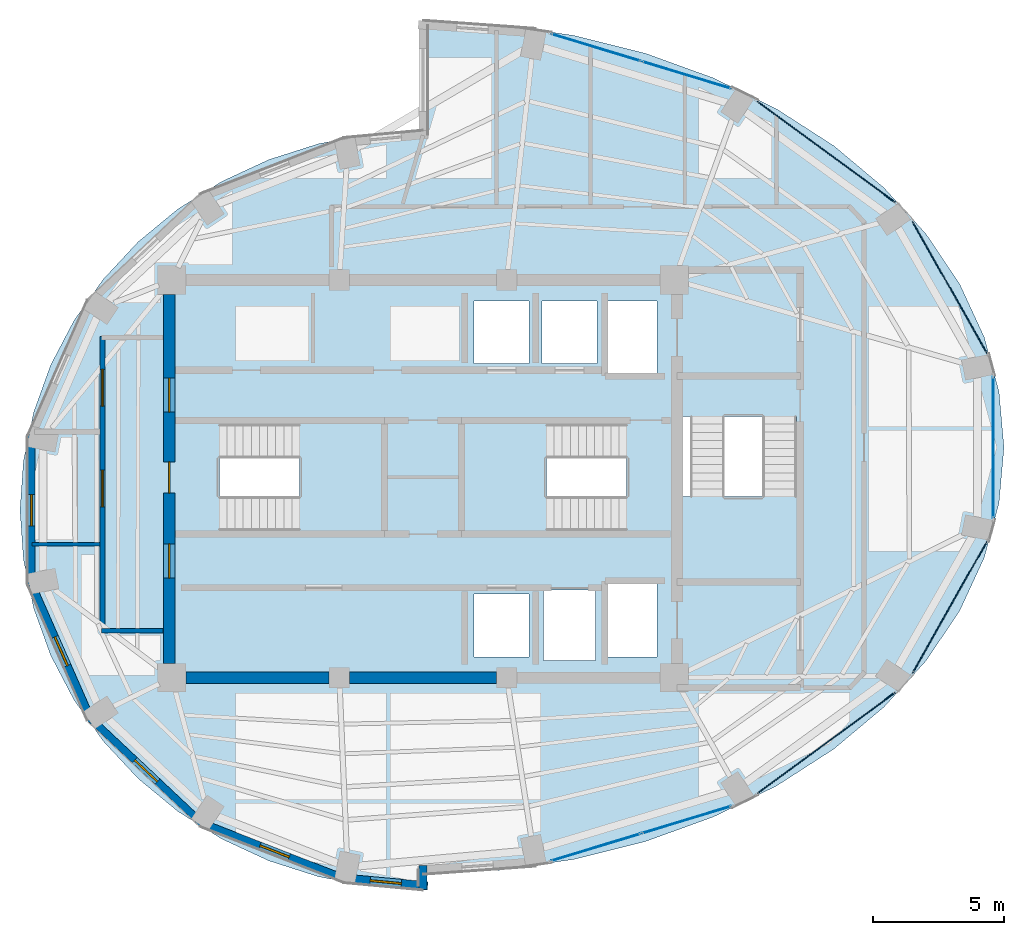
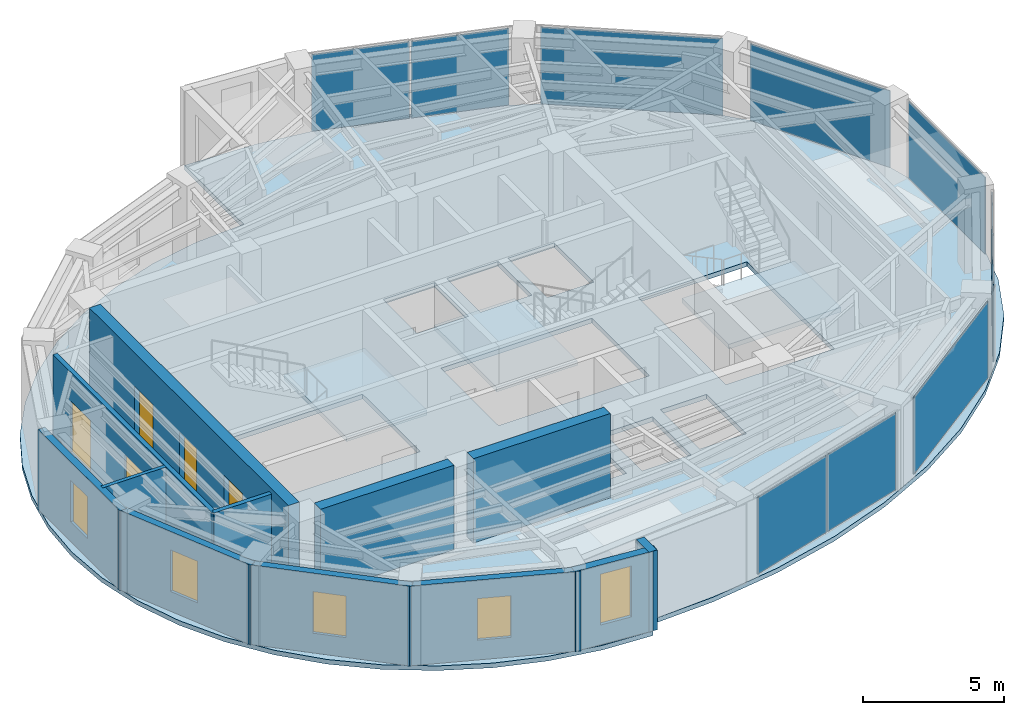
# One storey, part 8 of 13: 12 walls, 9 plates, 5 doors, 5 windows, 4 slabs, 10 openings, 10 elements without a shape of their own.
"""IFC4 building model written with IfcOpenShell, lengths in metres."""

from ifc_helpers import new_model, si_unit, direction, frame, frame_2d, origin, origin_2d, place, context, subcontext, project, spatial, polyline, rectangle, outline, extrude, material, layer, layer_set, type_object, element, fill, aggregate, save


model = new_model("IFC4")

# Units and contexts
model_context = context("Model", 3, precision=1e-05, world=origin(), true_north=direction((0.0, 1.0)))
body_context = subcontext(model_context, "Body", "Model", "MODEL_VIEW")
ifc_project = project(units=[si_unit("LENGTHUNIT", "METRE"), si_unit("AREAUNIT", "SQUARE_METRE"), si_unit("VOLUMEUNIT", "CUBIC_METRE"), si_unit("PLANEANGLEUNIT", "RADIAN"), si_unit("MASSUNIT", "GRAM", prefix="KILO")], contexts=[model_context])

# Site, building, storey
site_placement = place(None, origin())
site = spatial("IfcSite", under=ifc_project, at=site_placement, CompositionType="ELEMENT")
building_placement = place(site_placement, origin())
building = spatial("IfcBuilding", under=site, at=building_placement, Name="Lazwardi Medical Tower", CompositionType="ELEMENT")
storey_placement = place(building_placement, frame((0.0, 0.0, 295.152099609375)))
storey = spatial("IfcBuildingStorey", under=building, at=storey_placement, Name="L77", CompositionType="ELEMENT", Elevation=295.152099609375)

# Curtain wall, plates
ifc_material_1 = material(Name="Anodised bronze aluminium and solar control glazing", Category="aluminium")
ifc_layer_1 = layer(ifc_material_1, 0.18994140625)
ifc_layer_set_1 = layer_set([ifc_layer_1], Name="Anodised bronze aluminium and solar control glazing")
curtain_wall_type = type_object("IfcCurtainWallType", Name="CW-SYS-04", PredefinedType="NOTDEFINED", material=ifc_layer_set_1)
curtain_wall_1_placement = place(storey_placement, origin())
curtain_wall_1 = element("IfcCurtainWall", 1, at=curtain_wall_1_placement, inside=storey, type_object=curtain_wall_type, Name="L77 Unitised bronze curtain wall CW-04", PredefinedType="NOTDEFINED")
ifc_material_2 = material(Name="Low-e bronze solar control double glazing", Category="glass")
ifc_layer_2 = layer(ifc_material_2, 0.035888671875)
ifc_layer_set_2 = layer_set([ifc_layer_2], Name="Low-e bronze solar control double glazing")
plate_type = type_object("IfcPlateType", Name="PLT-GLZ-01", PredefinedType="CURTAIN_PANEL", material=ifc_layer_set_2)
plate_1_placement = place(storey_placement, frame((42.604736328125, 13.918701171875, 0.06494140625), z_axis=(0.0, 0.0, 1.0), x_axis=(0.956850126972, 0.290581889515, 0.0)))
plate_1 = element("IfcPlate", 2, at=plate_1_placement, type_object=plate_type, Name="CW-04 panel 1.1", PredefinedType="CURTAIN_PANEL", context=body_context, shape_type="SweptSolid", body=[
    extrude(rectangle(XDim=3.554443359375, YDim=0.035888671875, at=origin_2d()), origin(), (0.0, 0.0, 1.0), 3.318115234375),
])
plate_2_placement = place(storey_placement, frame((46.068115234375, 14.970458984375, 0.06494140625), z_axis=(0.0, 0.0, 1.0), x_axis=(0.956850126972, 0.290581889515, 0.0)))
plate_2 = element("IfcPlate", 3, at=plate_2_placement, type_object=plate_type, Name="CW-04 panel 2.1", PredefinedType="CURTAIN_PANEL", context=body_context, shape_type="SweptSolid", body=[
    extrude(rectangle(XDim=3.554443359375, YDim=0.035888671875, at=origin_2d()), origin(), (0.0, 0.0, 1.0), 3.318115234375),
])
aggregate(curtain_wall_1, [plate_1, plate_2])

# Curtain wall, plate
curtain_wall_2_placement = place(storey_placement, origin())
curtain_wall_2 = element("IfcCurtainWall", 4, at=curtain_wall_2_placement, inside=storey, type_object=curtain_wall_type, Name="L77 Unitised bronze curtain wall CW-04", PredefinedType="NOTDEFINED")
plate_3_placement = place(storey_placement, frame((51.403564453125, 17.90673828125, 0.06494140625), z_axis=(0.0, 0.0, 1.0), x_axis=(0.806474971121, 0.591268230971, 0.0)))
plate_3 = element("IfcPlate", 5, at=plate_3_placement, type_object=plate_type, Name="CW-04 panel 1.1", PredefinedType="CURTAIN_PANEL", context=body_context, shape_type="SweptSolid", body=[
    extrude(rectangle(XDim=6.502685546875, YDim=0.035888671875, at=origin_2d()), origin(), (0.0, 0.0, 1.0), 3.318115234375),
])
aggregate(curtain_wall_2, [plate_3])

curtain_wall_3_placement = place(storey_placement, origin())
curtain_wall_3 = element("IfcCurtainWall", 6, at=curtain_wall_3_placement, inside=storey, type_object=curtain_wall_type, Name="L77 Unitised bronze curtain wall CW-04", PredefinedType="NOTDEFINED")
plate_4_placement = place(storey_placement, frame((56.125732421875, 23.088134765625, 0.06494140625), z_axis=(0.0, 0.0, 1.0), x_axis=(0.491900474661, 0.870651436011, 0.0)))
plate_4 = element("IfcPlate", 7, at=plate_4_placement, type_object=plate_type, Name="CW-04 panel 1.1", PredefinedType="CURTAIN_PANEL", context=body_context, shape_type="SweptSolid", body=[
    extrude(rectangle(XDim=5.755126953125, YDim=0.035888671875, at=origin_2d()), origin(), (0.0, 0.0, 1.0), 3.318115234375),
])
aggregate(curtain_wall_3, [plate_4])

curtain_wall_4_placement = place(storey_placement, origin())
curtain_wall_4 = element("IfcCurtainWall", 8, at=curtain_wall_4_placement, inside=storey, type_object=curtain_wall_type, Name="L77 Unitised bronze curtain wall CW-04", PredefinedType="NOTDEFINED")
plate_5_placement = place(storey_placement, frame((57.7841796875, 29.199951171875, 0.06494140625), z_axis=(0.0, 0.0, 1.0), x_axis=(0.0, 1.0, 0.0)))
plate_5 = element("IfcPlate", 9, at=plate_5_placement, type_object=plate_type, Name="CW-04 panel 1.1", PredefinedType="CURTAIN_PANEL", context=body_context, shape_type="SweptSolid", body=[
    extrude(rectangle(XDim=5.416015625, YDim=0.035888671875, at=origin_2d()), origin(), (0.0, 0.0, 1.0), 3.318115234375),
])
aggregate(curtain_wall_4, [plate_5])

curtain_wall_5_placement = place(storey_placement, origin())
curtain_wall_5 = element("IfcCurtainWall", 10, at=curtain_wall_5_placement, inside=storey, type_object=curtain_wall_type, Name="L77 Unitised bronze curtain wall CW-04", PredefinedType="NOTDEFINED")
plate_6_placement = place(storey_placement, frame((56.125732421875, 35.311767578125, 0.06494140625), z_axis=(0.0, 0.0, 1.0), x_axis=(-0.491900474661, 0.870651436011, 0.0)))
plate_6 = element("IfcPlate", 11, at=plate_6_placement, type_object=plate_type, Name="CW-04 panel 1.1", PredefinedType="CURTAIN_PANEL", context=body_context, shape_type="SweptSolid", body=[
    extrude(rectangle(XDim=5.755126953125, YDim=0.035888671875, at=origin_2d()), origin(), (0.0, 0.0, 1.0), 3.318115234375),
])
aggregate(curtain_wall_5, [plate_6])

curtain_wall_6_placement = place(storey_placement, origin())
curtain_wall_6 = element("IfcCurtainWall", 12, at=curtain_wall_6_placement, inside=storey, type_object=curtain_wall_type, Name="L77 Unitised bronze curtain wall CW-04", PredefinedType="NOTDEFINED")
plate_7_placement = place(storey_placement, frame((51.403564453125, 40.4931640625, 0.06494140625), z_axis=(0.0, 0.0, 1.0), x_axis=(-0.806474971121, 0.591268230971, 0.0)))
plate_7 = element("IfcPlate", 13, at=plate_7_placement, type_object=plate_type, Name="CW-04 panel 1.1", PredefinedType="CURTAIN_PANEL", context=body_context, shape_type="SweptSolid", body=[
    extrude(rectangle(XDim=6.502685546875, YDim=0.035888671875, at=origin_2d()), origin(), (0.0, 0.0, 1.0), 3.318115234375),
])
aggregate(curtain_wall_6, [plate_7])

# Curtain wall, plates
curtain_wall_7_placement = place(storey_placement, origin())
curtain_wall_7 = element("IfcCurtainWall", 14, at=curtain_wall_7_placement, inside=storey, type_object=curtain_wall_type, Name="L77 Unitised bronze curtain wall CW-04", PredefinedType="NOTDEFINED")
plate_8_placement = place(storey_placement, frame((46.068115234375, 43.429443359375, 0.06494140625), z_axis=(0.0, 0.0, 1.0), x_axis=(-0.956850126972, 0.290581889515, 0.0)))
plate_8 = element("IfcPlate", 15, at=plate_8_placement, type_object=plate_type, Name="CW-04 panel 1.1", PredefinedType="CURTAIN_PANEL", context=body_context, shape_type="SweptSolid", body=[
    extrude(rectangle(XDim=3.554443359375, YDim=0.035888671875, at=origin_2d()), origin(), (0.0, 0.0, 1.0), 3.318115234375),
])
plate_9_placement = place(storey_placement, frame((42.604736328125, 44.481201171875, 0.06494140625), z_axis=(0.0, 0.0, 1.0), x_axis=(-0.956850126972, 0.290581889515, 0.0)))
plate_9 = element("IfcPlate", 16, at=plate_9_placement, type_object=plate_type, Name="CW-04 panel 2.1", PredefinedType="CURTAIN_PANEL", context=body_context, shape_type="SweptSolid", body=[
    extrude(rectangle(XDim=3.554443359375, YDim=0.035888671875, at=origin_2d()), origin(), (0.0, 0.0, 1.0), 3.318115234375),
])
aggregate(curtain_wall_7, [plate_8, plate_9])

# Stair, slab
ifc_material_3 = material(Name="Concrete C45/55", Category="concrete")
stair_type = type_object("IfcStairType", Name="STR-WRD", PredefinedType="HALF_TURN_STAIR", material=ifc_material_3)
stair_1_placement = place(storey_placement, origin())
stair_1 = element("IfcStair", 17, at=stair_1_placement, inside=storey, type_object=stair_type, Name="L77 Protected Exit Stair ST1", PredefinedType="HALF_TURN_STAIR")
ifc_layer_3 = layer(ifc_material_3, 0.199951171875)
ifc_layer_set_3 = layer_set([ifc_layer_3], Name="Concrete C45/55")
slab_type_1 = type_object("IfcSlabType", Name="SLB-LND-190", PredefinedType="LANDING", material=ifc_layer_set_3)
slab_1_placement = place(storey_placement, frame((0.0, 0.0, 1.623779296875)))
slab_1 = element("IfcSlab", 18, at=slab_1_placement, type_object=slab_type_1, Name="ST1 landing 1", PredefinedType="LANDING", context=body_context, shape_type="SweptSolid", body=[
    extrude(outline(polyline([(31.27490234375, 25.840087890625), (34.580078125, 25.840087890625), (34.580078125, 30.280029296875), (31.27490234375, 30.280029296875), (31.27490234375, 25.840087890625)])), origin(), (0.0, 0.0, 1.0), 0.2001953125),
])
aggregate(stair_1, [slab_1])

stair_2_placement = place(storey_placement, origin())
stair_2 = element("IfcStair", 19, at=stair_2_placement, inside=storey, type_object=stair_type, Name="L77 Protected Exit Stair ST2", PredefinedType="HALF_TURN_STAIR")
slab_2_placement = place(storey_placement, frame((0.0, 0.0, 1.623779296875)))
slab_2 = element("IfcSlab", 20, at=slab_2_placement, type_object=slab_type_1, Name="ST2 landing 1", PredefinedType="LANDING", context=body_context, shape_type="SweptSolid", body=[
    extrude(outline(polyline([(40.72509765625, 30.280029296875), (37.419921875, 30.280029296875), (37.419921875, 25.840087890625), (40.72509765625, 25.840087890625), (40.72509765625, 30.280029296875)])), origin(), (0.0, 0.0, 1.0), 0.2001953125),
])
aggregate(stair_2, [slab_2])

stair_3_placement = place(storey_placement, origin())
stair_3 = element("IfcStair", 21, at=stair_3_placement, inside=storey, type_object=stair_type, Name="L77 Protected Exit Stair ST3", PredefinedType="HALF_TURN_STAIR")
slab_3_placement = place(storey_placement, frame((0.0, 0.0, 1.623779296875)))
slab_3 = element("IfcSlab", 22, at=slab_3_placement, type_object=slab_type_1, Name="ST3 landing 1", PredefinedType="LANDING", context=body_context, shape_type="SweptSolid", body=[
    extrude(outline(polyline([(45.860107421875, 27.324951171875), (45.860107421875, 24.02001953125), (50.4599609375, 24.02001953125), (50.4599609375, 27.324951171875), (45.860107421875, 27.324951171875)])), origin(), (0.0, 0.0, 1.0), 0.2001953125),
])
aggregate(stair_3, [slab_3])

# Slab
ifc_material_4 = material(Name="Concrete C50/60", Category="concrete")
ifc_layer_4 = layer(ifc_material_4, 0.199951171875)
ifc_layer_set_4 = layer_set([ifc_layer_4], Name="Concrete C50/60")
slab_type_2 = type_object("IfcSlabType", Name="SLB-UPP-200", PredefinedType="FLOOR", material=ifc_layer_set_4)
slab_4_placement = place(storey_placement, frame((0.0, 0.0, -0.2001953125)))
element("IfcSlab", 23, at=slab_4_placement, inside=storey, type_object=slab_type_2, Name="Structural floor slab SF-04 L77", PredefinedType="FLOOR", context=body_context, shape_type="SweptSolid", body=[
    extrude(outline(polyline([(23.782470703125, 17.972900390625), (25.110595703125, 16.547119140625), (26.625, 15.29638671875), (28.300048828125, 14.24267578125), (30.106689453125, 13.40380859375), (32.01416015625, 12.794189453125), (33.989990234375, 12.424072265625), (36.0, 12.300048828125), (36.0, 12.89990234375), (38.897705078125, 13.039306640625), (41.745849609375, 13.455322265625), (44.49560546875, 14.140869140625), (47.10009765625, 15.083740234375), (49.514404296875, 16.268310546875), (51.69775390625, 17.67431640625), (53.6123046875, 19.277099609375), (55.225830078125, 21.050048828125), (56.510009765625, 22.96240234375), (57.443603515625, 24.981201171875), (58.010009765625, 27.072509765625), (58.199951171875, 29.199951171875), (58.010009765625, 31.32763671875), (57.443603515625, 33.418701171875), (56.510009765625, 35.437744140625), (55.225830078125, 37.35009765625), (53.6123046875, 39.122802734375), (51.69775390625, 40.725830078125), (49.514404296875, 42.131591796875), (47.10009765625, 43.316162109375), (44.49560546875, 44.25927734375), (41.745849609375, 44.944580078125), (38.897705078125, 45.360595703125), (36.0, 45.5), (36.0, 41.300048828125), (33.989990234375, 41.176025390625), (32.01416015625, 40.805908203125), (30.106689453125, 40.1962890625), (28.300048828125, 39.357421875), (26.625, 38.3037109375), (25.110595703125, 37.052978515625), (23.782470703125, 35.626953125), (22.6630859375, 34.050048828125), (21.772216796875, 32.348876953125), (21.124755859375, 30.552978515625), (20.731689453125, 28.692626953125), (20.60009765625, 26.800048828125), (20.731689453125, 24.907470703125), (21.124755859375, 23.047119140625), (21.772216796875, 21.251220703125), (22.6630859375, 19.550048828125), (23.782470703125, 17.972900390625)]), holes=[polyline([(28.22509765625, 26.02001953125), (28.22509765625, 30.10009765625), (34.39990234375, 30.10009765625), (34.39990234375, 26.02001953125), (28.22509765625, 26.02001953125)]), polyline([(37.60009765625, 30.10009765625), (43.77490234375, 30.10009765625), (43.77490234375, 26.02001953125), (37.60009765625, 26.02001953125), (37.60009765625, 30.10009765625)]), polyline([(50.280029296875, 30.375), (50.280029296875, 24.179931640625), (45.840087890625, 24.179931640625), (45.840087890625, 30.375), (50.280029296875, 30.375)]), polyline([(40.050048828125, 32.39990234375), (37.949951171875, 32.39990234375), (37.949951171875, 34.800048828125), (40.050048828125, 34.800048828125), (40.050048828125, 32.39990234375)]), polyline([(40.550048828125, 32.39990234375), (40.550048828125, 34.800048828125), (42.64990234375, 34.800048828125), (42.64990234375, 32.39990234375), (40.550048828125, 32.39990234375)]), polyline([(37.949951171875, 23.60009765625), (40.050048828125, 23.60009765625), (40.050048828125, 21.199951171875), (37.949951171875, 21.199951171875), (37.949951171875, 23.60009765625)]), polyline([(44.949951171875, 34.800048828125), (44.949951171875, 32.0), (43.050048828125, 32.0), (43.050048828125, 34.800048828125), (44.949951171875, 34.800048828125)]), polyline([(44.949951171875, 21.199951171875), (43.050048828125, 21.199951171875), (43.050048828125, 24.0), (44.949951171875, 24.0), (44.949951171875, 21.199951171875)]), polyline([(40.60009765625, 21.050048828125), (40.60009765625, 23.75), (42.60009765625, 23.75), (42.60009765625, 21.050048828125), (40.60009765625, 21.050048828125)])]), origin(), (0.0, 0.0, 1.0), 0.2001953125),
])

# Wall
ifc_material_5 = material(Name="Fire-rated gypsum board on steel stud", Category="steel")
ifc_layer_5 = layer(ifc_material_5, 0.179931640625)
ifc_layer_set_5 = layer_set([ifc_layer_5], Name="Fire-rated gypsum board on steel stud")
wall_type_1 = type_object("IfcWallType", Name="WL-COR-180", PredefinedType="PARTITIONING", material=ifc_layer_set_5)
wall_1_placement = place(storey_placement, frame((26.06005859375, 22.199951171875, 0.0), z_axis=(0.0, 0.0, 1.0), x_axis=(-1.0, 0.0, 0.0)))
element("IfcWall", 24, at=wall_1_placement, inside=storey, type_object=wall_type_1, Name="L77 Corridor partition 7", PredefinedType="PARTITIONING", context=body_context, shape_type="SweptSolid", body=[
    extrude(rectangle(XDim=2.35009765625, YDim=0.179931640625, at=frame_2d((1.175048828125, 0.0))), origin(), (0.0, 0.0, 1.0), 3.447998046875),
])

# Wall, openings, doors
wall_2_placement = place(storey_placement, frame((23.75, 22.159912109375, 0.0), z_axis=(0.0, 0.0, 1.0), x_axis=(0.0, 1.0, 0.0)))
wall_2 = element("IfcWall", 25, at=wall_2_placement, inside=storey, type_object=wall_type_1, Name="L77 Corridor partition 8", PredefinedType="PARTITIONING", context=body_context, shape_type="SweptSolid", body=[
    extrude(rectangle(XDim=11.280029296875, YDim=0.179931640625, at=frame_2d((5.64013671875, 0.0))), origin(), (0.0, 0.0, 1.0), 3.447998046875),
])
opening_1_placement = place(wall_2_placement, frame((4.7724609375, 0.0, 0.0)))
opening_1 = element("IfcOpeningElement", 26, at=opening_1_placement, cuts=wall_2, Name="Opening D-L77-010", PredefinedType="OPENING", context=body_context, shape_type="SweptSolid", body=[
    extrude(rectangle(XDim=1.39990234375, YDim=2.199951171875, at=frame_2d((0.699951171875, 1.10009765625))), frame((0.0, 0.099853515625, 0.0), z_axis=(0.0, -1.0, 0.0), x_axis=(1.0, 0.0, 0.0)), (0.0, 0.0, 1.0), 0.199951171875),
])
opening_2_placement = place(wall_2_placement, frame((8.618408203125, 0.0, 0.0)))
opening_2 = element("IfcOpeningElement", 27, at=opening_2_placement, cuts=wall_2, Name="Opening D-L77-016", PredefinedType="OPENING", context=body_context, shape_type="SweptSolid", body=[
    extrude(rectangle(XDim=1.39990234375, YDim=2.199951171875, at=frame_2d((0.699951171875, 1.10009765625))), frame((0.0, 0.099853515625, 0.0), z_axis=(0.0, -1.0, 0.0), x_axis=(1.0, 0.0, 0.0)), (0.0, 0.0, 1.0), 0.199951171875),
])
ifc_material_6 = material(Name="Anti-microbial laminate hospital leaf")
door_type_1 = type_object("IfcDoorType", Name="DR-BED-1400", OperationType="NOTDEFINED", PredefinedType="DOOR", material=ifc_material_6)
door_1_placement = place(opening_1_placement, origin())
door_1 = element("IfcDoor", 28, at=door_1_placement, inside=storey, type_object=door_type_1, Name="L77 Rehabilitation Gymnasium Door 01", OperationType="SINGLE_SWING_LEFT", OverallHeight=2.199951171875, OverallWidth=1.39990234375, PredefinedType="DOOR", context=body_context, shape_type="SweptSolid", body=[
    extrude(rectangle(XDim=1.39990234375, YDim=2.199951171875, at=frame_2d((0.699951171875, 1.10009765625))), frame((0.0, 0.02490234375, 0.0), z_axis=(0.0, -1.0, 0.0), x_axis=(1.0, 0.0, 0.0)), (0.0, 0.0, 1.0), 0.050048828125),
])
fill(opening_1, door_1)
door_2_placement = place(opening_2_placement, origin())
door_2 = element("IfcDoor", 29, at=door_2_placement, inside=storey, type_object=door_type_1, Name="L77 Helipad Reception Door 07", OperationType="SINGLE_SWING_LEFT", OverallHeight=2.199951171875, OverallWidth=1.39990234375, PredefinedType="DOOR", context=body_context, shape_type="SweptSolid", body=[
    extrude(rectangle(XDim=1.39990234375, YDim=2.199951171875, at=frame_2d((0.699951171875, 1.10009765625))), frame((0.0, 0.02490234375, 0.0), z_axis=(0.0, -1.0, 0.0), x_axis=(1.0, 0.0, 0.0)), (0.0, 0.0, 1.0), 0.050048828125),
])
fill(opening_2, door_2)

ifc_material_7 = material(Name="Concrete C60/75", Category="concrete")
ifc_layer_6 = layer(ifc_material_7, 0.449951171875)
ifc_layer_set_6 = layer_set([ifc_layer_6], Name="Concrete C60/75")
wall_type_2 = type_object("IfcWallType", Name="WL-CORE-450", PredefinedType="SHEAR", material=ifc_layer_set_6)
wall_3_placement = place(storey_placement, frame((26.300048828125, 20.949951171875, 0.0), z_axis=(0.0, 0.0, 1.0), x_axis=(0.0, 1.0, 0.0)))
wall_3 = element("IfcWall", 30, at=wall_3_placement, inside=storey, type_object=wall_type_2, Name="Core wall CW-S4 west L77", PredefinedType="SHEAR", context=body_context, shape_type="SweptSolid", body=[
    extrude(rectangle(XDim=14.10009765625, YDim=0.449951171875, at=frame_2d((7.050048828125, 0.0))), origin(), (0.0, 0.0, 1.0), 3.64794921875),
])
opening_3_placement = place(wall_3_placement, frame((6.5, 0.0, 0.0)))
opening_3 = element("IfcOpeningElement", 31, at=opening_3_placement, cuts=wall_3, Name="Opening D-L77-017", PredefinedType="OPENING", context=body_context, shape_type="SweptSolid", body=[
    extrude(rectangle(XDim=1.199951171875, YDim=2.14990234375, at=frame_2d((0.60009765625, 1.074951171875))), frame((0.0, 0.23486328125, 0.0), z_axis=(0.0, -1.0, 0.0), x_axis=(1.0, 0.0, 0.0)), (0.0, 0.0, 1.0), 0.469970703125),
])
opening_4_placement = place(wall_3_placement, frame((9.60009765625, 0.0, 0.0)))
opening_4 = element("IfcOpeningElement", 32, at=opening_4_placement, cuts=wall_3, Name="Opening D-L77-008", PredefinedType="OPENING", context=body_context, shape_type="SweptSolid", body=[
    extrude(rectangle(XDim=1.300048828125, YDim=2.199951171875, at=frame_2d((0.64990234375, 1.10009765625))), frame((0.0, 0.23486328125, 0.0), z_axis=(0.0, -1.0, 0.0), x_axis=(1.0, 0.0, 0.0)), (0.0, 0.0, 1.0), 0.469970703125),
])
opening_5_placement = place(wall_3_placement, frame((3.260009765625, 0.0, 0.0)))
opening_5 = element("IfcOpeningElement", 33, at=opening_5_placement, cuts=wall_3, Name="Opening D-L77-009", PredefinedType="OPENING", context=body_context, shape_type="SweptSolid", body=[
    extrude(rectangle(XDim=1.300048828125, YDim=2.199951171875, at=frame_2d((0.64990234375, 1.10009765625))), frame((0.0, 0.23486328125, 0.0), z_axis=(0.0, -1.0, 0.0), x_axis=(1.0, 0.0, 0.0)), (0.0, 0.0, 1.0), 0.469970703125),
])
ifc_material_8 = material(Name="Fire-rated steel leaf and frame", Category="steel")
door_type_2 = type_object("IfcDoorType", Name="DR-FFL-1300", OperationType="NOTDEFINED", PredefinedType="DOOR", material=ifc_material_8)
door_3_placement = place(opening_4_placement, origin())
door_3 = element("IfcDoor", 34, at=door_3_placement, inside=storey, type_object=door_type_2, Name="L77 North Lift Lobby Door", OperationType="SINGLE_SWING_LEFT", OverallHeight=2.199951171875, OverallWidth=1.300048828125, PredefinedType="DOOR", context=body_context, shape_type="SweptSolid", body=[
    extrude(rectangle(XDim=1.300048828125, YDim=2.199951171875, at=frame_2d((0.64990234375, 1.10009765625))), frame((0.0, 0.02490234375, 0.0), z_axis=(0.0, -1.0, 0.0), x_axis=(1.0, 0.0, 0.0)), (0.0, 0.0, 1.0), 0.050048828125),
])
fill(opening_4, door_3)
door_4_placement = place(opening_5_placement, origin())
door_4 = element("IfcDoor", 35, at=door_4_placement, inside=storey, type_object=door_type_2, Name="L77 South Lift Lobby Door", OperationType="SINGLE_SWING_RIGHT", OverallHeight=2.199951171875, OverallWidth=1.300048828125, PredefinedType="DOOR", context=body_context, shape_type="SweptSolid", body=[
    extrude(rectangle(XDim=1.300048828125, YDim=2.199951171875, at=frame_2d((0.64990234375, 1.10009765625))), frame((0.0, 0.02490234375, 0.0), z_axis=(0.0, -1.0, 0.0), x_axis=(1.0, 0.0, 0.0)), (0.0, 0.0, 1.0), 0.050048828125),
])
fill(opening_5, door_4)
door_type_3 = type_object("IfcDoorType", Name="DR-STR-1200", OperationType="NOTDEFINED", PredefinedType="DOOR", material=ifc_material_8)
door_5_placement = place(opening_3_placement, origin())
door_5 = element("IfcDoor", 36, at=door_5_placement, inside=storey, type_object=door_type_3, Name="L77 Exit Stair ST1 Door", OperationType="SINGLE_SWING_LEFT", OverallHeight=2.14990234375, OverallWidth=1.199951171875, PredefinedType="DOOR", context=body_context, shape_type="SweptSolid", body=[
    extrude(rectangle(XDim=1.199951171875, YDim=2.14990234375, at=frame_2d((0.60009765625, 1.074951171875))), frame((0.0, 0.02490234375, 0.0), z_axis=(0.0, -1.0, 0.0), x_axis=(1.0, 0.0, 0.0)), (0.0, 0.0, 1.0), 0.050048828125),
])
fill(opening_3, door_5)

# Walls
wall_4_placement = place(storey_placement, frame((26.949951171875, 20.39990234375, 0.0), z_axis=(0.0, 0.0, 1.0), x_axis=(1.0, 0.0, 0.0)))
element("IfcWall", 37, at=wall_4_placement, inside=storey, type_object=wall_type_2, Name="Core wall CW-S4 S1 L77", PredefinedType="SHEAR", context=body_context, shape_type="SweptSolid", body=[
    extrude(rectangle(XDim=5.449951171875, YDim=0.449951171875, at=frame_2d((2.72509765625, 0.0))), origin(), (0.0, 0.0, 1.0), 3.64794921875),
])
wall_5_placement = place(storey_placement, frame((33.199951171875, 20.39990234375, 0.0), z_axis=(0.0, 0.0, 1.0), x_axis=(1.0, 0.0, 0.0)))
element("IfcWall", 38, at=wall_5_placement, inside=storey, type_object=wall_type_2, Name="Core wall CW-S4 S2 L77", PredefinedType="SHEAR", context=body_context, shape_type="SweptSolid", body=[
    extrude(rectangle(XDim=5.60009765625, YDim=0.449951171875, at=frame_2d((2.800048828125, 0.0))), origin(), (0.0, 0.0, 1.0), 3.64794921875),
])

# Wall, opening, window
ifc_material_9 = material(Name="Precast concrete C45/55", Category="concrete")
ifc_layer_7 = layer(ifc_material_9, 0.280029296875)
ifc_layer_set_7 = layer_set([ifc_layer_7], Name="Precast concrete C45/55")
wall_type_3 = type_object("IfcWallType", Name="WL-DRUM-280", PredefinedType="SOLIDWALL", material=ifc_layer_set_7)
wall_6_placement = place(storey_placement, frame((21.033203125, 29.701416015625, 0.0), z_axis=(0.0, 0.0, 1.0), x_axis=(0.0, -1.0, 0.0)))
wall_6 = element("IfcWall", 39, at=wall_6_placement, inside=storey, type_object=wall_type_3, Name="L77 West Drum Precast Wall 4", PredefinedType="SOLIDWALL", context=body_context, shape_type="SweptSolid", body=[
    extrude(rectangle(XDim=5.802978515625, YDim=0.280029296875, at=frame_2d((2.9013671875, 0.0))), origin(), (0.0, 0.0, 1.0), 3.447998046875),
])
opening_6_placement = place(wall_6_placement, frame((2.301513671875, 0.0, 0.85009765625)))
opening_6 = element("IfcOpeningElement", 40, at=opening_6_placement, cuts=wall_6, Name="Opening WN-04", PredefinedType="OPENING", context=body_context, shape_type="SweptSolid", body=[
    extrude(rectangle(XDim=1.199951171875, YDim=1.800048828125, at=frame_2d((0.60009765625, 0.89990234375))), frame((0.0, 0.14990234375, 0.0), z_axis=(0.0, -1.0, 0.0), x_axis=(1.0, 0.0, 0.0)), (0.0, 0.0, 1.0), 0.300048828125),
])
window_type_1 = type_object("IfcWindowType", Name="WIN-DRUM-1200", PartitioningType="SINGLE_PANEL", PredefinedType="WINDOW", material=ifc_material_2)
window_1_placement = place(opening_6_placement, origin())
window_1 = element("IfcWindow", 41, at=window_1_placement, inside=storey, type_object=window_type_1, Name="L77 West Drum Window 4", OverallHeight=1.800048828125, OverallWidth=1.199951171875, PartitioningType="SINGLE_PANEL", PredefinedType="WINDOW", context=body_context, shape_type="SweptSolid", body=[
    extrude(rectangle(XDim=1.199951171875, YDim=1.800048828125, at=frame_2d((0.60009765625, 0.89990234375))), frame((0.0, 0.030029296875, 0.0), z_axis=(0.0, -1.0, 0.0), x_axis=(1.0, 0.0, 0.0)), (0.0, 0.0, 1.0), 0.06005859375),
])
fill(opening_6, window_1)

wall_7_placement = place(storey_placement, frame((20.992919921875, 24.090087890625, 0.0), z_axis=(0.0, 0.0, 1.0), x_axis=(0.402867150469, -0.91525846572, 0.0)))
wall_7 = element("IfcWall", 42, at=wall_7_placement, inside=storey, type_object=wall_type_3, Name="L77 West Drum Precast Wall 5", PredefinedType="SOLIDWALL", context=body_context, shape_type="SweptSolid", body=[
    extrude(rectangle(XDim=5.85595703125, YDim=0.280029296875, at=frame_2d((2.927978515625, 0.0))), origin(), (0.0, 0.0, 1.0), 3.447998046875),
])
opening_7_placement = place(wall_7_placement, frame((2.327880859375, 0.0, 0.85009765625)))
opening_7 = element("IfcOpeningElement", 43, at=opening_7_placement, cuts=wall_7, Name="Opening WN-04", PredefinedType="OPENING", context=body_context, shape_type="SweptSolid", body=[
    extrude(rectangle(XDim=1.199951171875, YDim=1.800048828125, at=frame_2d((0.60009765625, 0.89990234375))), frame((0.0, 0.14990234375, 0.0), z_axis=(0.0, -1.0, 0.0), x_axis=(1.0, 0.0, 0.0)), (0.0, 0.0, 1.0), 0.300048828125),
])
window_2_placement = place(opening_7_placement, origin())
window_2 = element("IfcWindow", 44, at=window_2_placement, inside=storey, type_object=window_type_1, Name="L77 West Drum Window 5", OverallHeight=1.800048828125, OverallWidth=1.199951171875, PartitioningType="SINGLE_PANEL", PredefinedType="WINDOW", context=body_context, shape_type="SweptSolid", body=[
    extrude(rectangle(XDim=1.199951171875, YDim=1.800048828125, at=frame_2d((0.60009765625, 0.89990234375))), frame((0.0, 0.030029296875, 0.0), z_axis=(0.0, -1.0, 0.0), x_axis=(1.0, 0.0, 0.0)), (0.0, 0.0, 1.0), 0.06005859375),
])
fill(opening_7, window_2)

wall_8_placement = place(storey_placement, frame((23.239013671875, 18.890380859375, 0.0), z_axis=(0.0, 0.0, 1.0), x_axis=(0.728251519923, -0.685309947199, 0.0)))
wall_8 = element("IfcWall", 45, at=wall_8_placement, inside=storey, type_object=wall_type_3, Name="L77 West Drum Precast Wall 6", PredefinedType="SOLIDWALL", context=body_context, shape_type="SweptSolid", body=[
    extrude(rectangle(XDim=5.98095703125, YDim=0.280029296875, at=frame_2d((2.990478515625, 0.0))), origin(), (0.0, 0.0, 1.0), 3.447998046875),
])
opening_8_placement = place(wall_8_placement, frame((2.390625, 0.0, 0.85009765625)))
opening_8 = element("IfcOpeningElement", 46, at=opening_8_placement, cuts=wall_8, Name="Opening WN-04", PredefinedType="OPENING", context=body_context, shape_type="SweptSolid", body=[
    extrude(rectangle(XDim=1.199951171875, YDim=1.800048828125, at=frame_2d((0.60009765625, 0.89990234375))), frame((0.0, 0.14990234375, 0.0), z_axis=(0.0, -1.0, 0.0), x_axis=(1.0, 0.0, 0.0)), (0.0, 0.0, 1.0), 0.300048828125),
])
window_3_placement = place(opening_8_placement, origin())
window_3 = element("IfcWindow", 47, at=window_3_placement, inside=storey, type_object=window_type_1, Name="L77 West Drum Window 6", OverallHeight=1.800048828125, OverallWidth=1.199951171875, PartitioningType="SINGLE_PANEL", PredefinedType="WINDOW", context=body_context, shape_type="SweptSolid", body=[
    extrude(rectangle(XDim=1.199951171875, YDim=1.800048828125, at=frame_2d((0.60009765625, 0.89990234375))), frame((0.0, 0.030029296875, 0.0), z_axis=(0.0, -1.0, 0.0), x_axis=(1.0, 0.0, 0.0)), (0.0, 0.0, 1.0), 0.06005859375),
])
fill(opening_8, window_3)

wall_9_placement = place(storey_placement, frame((27.4287109375, 14.896484375, 0.0), z_axis=(0.0, 0.0, 1.0), x_axis=(0.931716550814, -0.36318627306, 0.0)))
wall_9 = element("IfcWall", 48, at=wall_9_placement, inside=storey, type_object=wall_type_3, Name="L77 West Drum Precast Wall 7", PredefinedType="SOLIDWALL", context=body_context, shape_type="SweptSolid", body=[
    extrude(rectangle(XDim=6.22412109375, YDim=0.280029296875, at=frame_2d((3.112060546875, 0.0))), origin(), (0.0, 0.0, 1.0), 3.447998046875),
])
opening_9_placement = place(wall_9_placement, frame((2.511962890625, 0.0, 0.85009765625)))
opening_9 = element("IfcOpeningElement", 49, at=opening_9_placement, cuts=wall_9, Name="Opening WN-04", PredefinedType="OPENING", context=body_context, shape_type="SweptSolid", body=[
    extrude(rectangle(XDim=1.199951171875, YDim=1.800048828125, at=frame_2d((0.60009765625, 0.89990234375))), frame((0.0, 0.14990234375, 0.0), z_axis=(0.0, -1.0, 0.0), x_axis=(1.0, 0.0, 0.0)), (0.0, 0.0, 1.0), 0.300048828125),
])
window_4_placement = place(opening_9_placement, origin())
window_4 = element("IfcWindow", 50, at=window_4_placement, inside=storey, type_object=window_type_1, Name="L77 West Drum Window 7", OverallHeight=1.800048828125, OverallWidth=1.199951171875, PartitioningType="SINGLE_PANEL", PredefinedType="WINDOW", context=body_context, shape_type="SweptSolid", body=[
    extrude(rectangle(XDim=1.199951171875, YDim=1.800048828125, at=frame_2d((0.60009765625, 0.89990234375))), frame((0.0, 0.030029296875, 0.0), z_axis=(0.0, -1.0, 0.0), x_axis=(1.0, 0.0, 0.0)), (0.0, 0.0, 1.0), 0.06005859375),
])
fill(opening_9, window_4)

ifc_layer_8 = layer(ifc_material_9, 0.320068359375)
ifc_layer_set_8 = layer_set([ifc_layer_8], Name="Precast concrete C45/55")
wall_type_4 = type_object("IfcWallType", Name="WL-IWAN-320", PredefinedType="SOLIDWALL", material=ifc_layer_set_8)
wall_10_placement = place(storey_placement, frame((32.97705078125, 12.739990234375, 0.0), z_axis=(0.0, 0.0, 1.0), x_axis=(0.995736155144, -0.092247001792, 0.0)))
wall_10 = element("IfcWall", 51, at=wall_10_placement, inside=storey, type_object=wall_type_4, Name="L77 Iwan Portal Return Wall SW_ret", PredefinedType="SOLIDWALL", context=body_context, shape_type="SweptSolid", body=[
    extrude(rectangle(XDim=3.215576171875, YDim=0.320068359375, at=frame_2d((1.60791015625, 0.0))), origin(), (0.0, 0.0, 1.0), 3.447998046875),
])
opening_10_placement = place(wall_10_placement, frame((1.0078125, 0.0, 0.85009765625)))
opening_10 = element("IfcOpeningElement", 52, at=opening_10_placement, cuts=wall_10, Name="Opening WN-01", PredefinedType="OPENING", context=body_context, shape_type="SweptSolid", body=[
    extrude(rectangle(XDim=1.199951171875, YDim=2.199951171875, at=frame_2d((0.60009765625, 1.10009765625))), frame((0.0, 0.169921875, 0.0), z_axis=(0.0, -1.0, 0.0), x_axis=(1.0, 0.0, 0.0)), (0.0, 0.0, 1.0), 0.340087890625),
])
window_type_2 = type_object("IfcWindowType", Name="WIN-IW-1200", PartitioningType="SINGLE_PANEL", PredefinedType="WINDOW", material=ifc_material_2)
window_5_placement = place(opening_10_placement, origin())
window_5 = element("IfcWindow", 53, at=window_5_placement, inside=storey, type_object=window_type_2, Name="L77 Iwan Slot Window SW_ret", OverallHeight=2.199951171875, OverallWidth=1.199951171875, PartitioningType="SINGLE_PANEL", PredefinedType="WINDOW", context=body_context, shape_type="SweptSolid", body=[
    extrude(rectangle(XDim=1.199951171875, YDim=2.199951171875, at=frame_2d((0.60009765625, 1.10009765625))), frame((0.0, 0.030029296875, 0.0), z_axis=(0.0, -1.0, 0.0), x_axis=(1.0, 0.0, 0.0)), (0.0, 0.0, 1.0), 0.06005859375),
])
fill(opening_10, window_5)

# Walls
wall_11_placement = place(storey_placement, frame((36.0, 12.300048828125, 0.0), z_axis=(0.0, 0.0, 1.0), x_axis=(0.0, 1.0, 0.0)))
element("IfcWall", 54, at=wall_11_placement, inside=storey, type_object=wall_type_4, Name="L77 Turquoise Tilework Iwan Seam Wall S_seam", PredefinedType="SOLIDWALL", context=body_context, shape_type="SweptSolid", body=[
    extrude(rectangle(XDim=0.919921875, YDim=0.320068359375, at=frame_2d((0.4599609375, 0.0))), origin(), (0.0, 0.0, 1.0), 3.447998046875),
])
ifc_material_10 = material(Name="Acoustic gypsum board partition")
ifc_layer_9 = layer(ifc_material_10, 0.14990234375)
ifc_layer_set_9 = layer_set([ifc_layer_9], Name="Acoustic gypsum board partition")
wall_type_5 = type_object("IfcWallType", Name="WL-WRD-150", PredefinedType="PARTITIONING", material=ifc_layer_set_9)
wall_12_placement = place(storey_placement, frame((21.068115234375, 25.5, 0.0), z_axis=(0.0, 0.0, 1.0), x_axis=(1.0, 0.0, 0.0)))
element("IfcWall", 55, at=wall_12_placement, inside=storey, type_object=wall_type_5, Name="L77 Room partition 1", PredefinedType="PARTITIONING", context=body_context, shape_type="SweptSolid", body=[
    extrude(rectangle(XDim=2.591796875, YDim=0.14990234375, at=frame_2d((1.2958984375, 0.0))), origin(), (0.0, 0.0, 1.0), 3.447998046875),
])

save(model, "model.ifc")
